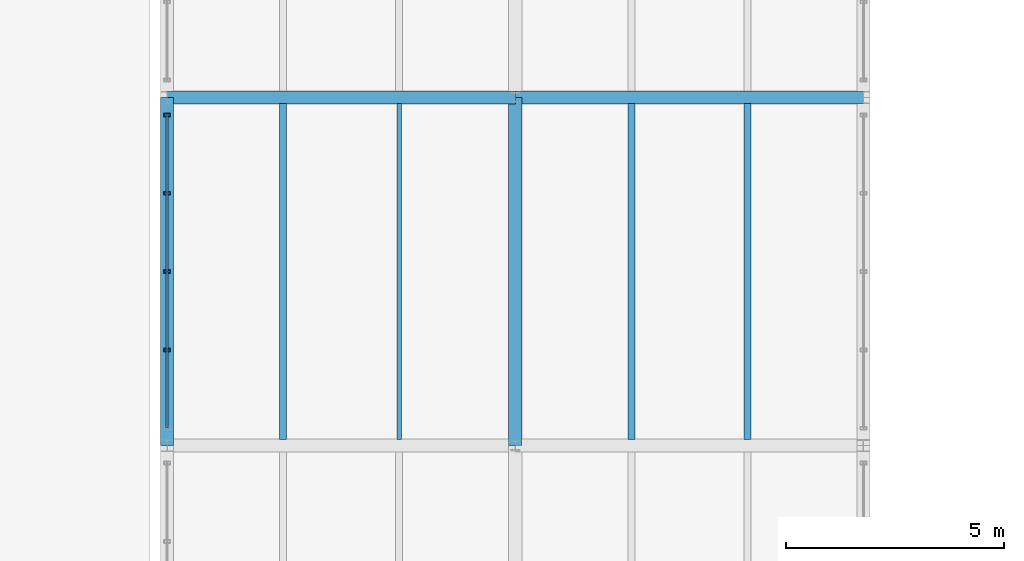
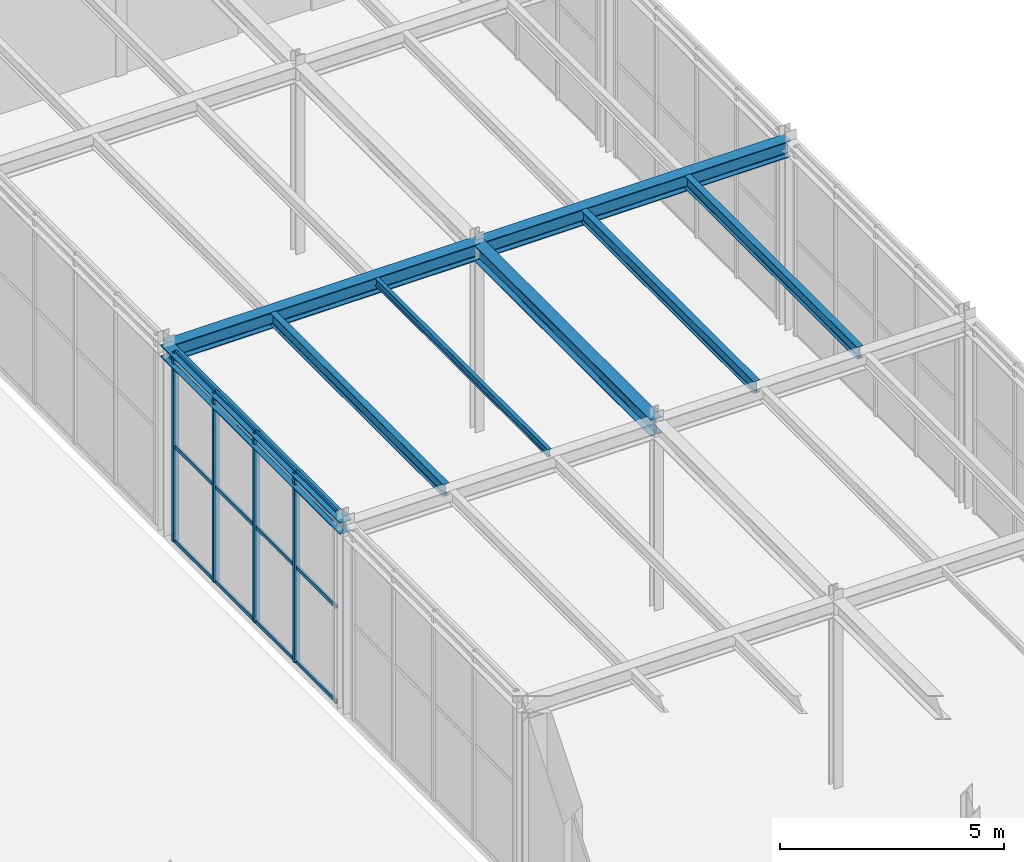
# One storey, part 34 of 129: 16 members, 8 beams, 1 element without a shape of its own.
"""IFC4 building model written with IfcOpenShell, lengths in metres."""

import ifcopenshell
import ifcopenshell.guid

model = None  # the IFC model being written
_history = None  # IfcOwnerHistory: only IFC2X3 demands one
_inside = {}  # id of a spatial element -> (the spatial element, [elements in it])
_under = {}  # id of a project, library or spatial element -> (it, [spatial elements below it])
_declared = {}  # id of a project -> (the project, [libraries it declares])
_typed = {}  # id of a type object -> (the type object, [elements of that type])
_made_of = {}  # id of a material, layer set ... -> (it, [elements and type objects made of it])


def new_model(schema):
    """Start an empty IFC model of exactly this schema.

    Asked for "IFC4X3", IfcOpenShell would pick the latest addendum, in which some entities
    have other attributes; the version numbers below select the first issue.
    IFC2X3 requires an IfcOwnerHistory on every rooted entity: one is made here for all.
    """
    global model, _history
    if schema == "IFC4X3":
        model = ifcopenshell.file(schema_version=(4, 3, 0, 0))
    else:
        model = ifcopenshell.file(schema=schema)
    _inside.clear()
    _under.clear()
    _declared.clear()
    _typed.clear()
    _made_of.clear()
    _history = None
    if model.schema == "IFC2X3":
        org = make("IfcOrganization", Name="unknown")
        user = make(
            "IfcPersonAndOrganization",
            ThePerson=make("IfcPerson", FamilyName="unknown"),
            TheOrganization=org,
        )
        app = make(
            "IfcApplication",
            ApplicationDeveloper=org,
            Version="unknown",
            ApplicationFullName="unknown",
            ApplicationIdentifier="unknown",
        )
        _history = make(
            "IfcOwnerHistory",
            OwningUser=user,
            OwningApplication=app,
            ChangeAction="ADDED",
            CreationDate=0,
        )
    return model


def make(cls, **values):
    """One entity of the class cls with the attributes given. An attribute that is None is left unset."""
    return model.create_entity(
        cls, **{name: value for name, value in values.items() if value is not None}
    )


def rooted(cls, **values):
    """An entity with a GlobalId (a new one), such as an element, a storey or a relation."""
    return make(cls, GlobalId=ifcopenshell.guid.new(), OwnerHistory=_history, **values)


def si_unit(unit_type, name, prefix=None):
    """IfcSIUnit, for example si_unit("LENGTHUNIT", "METRE", prefix="MILLI")."""
    return make("IfcSIUnit", UnitType=unit_type, Prefix=prefix, Name=name)


def assignment(units):
    """IfcUnitAssignment: the units of a project."""
    return None if units is None else make("IfcUnitAssignment", Units=units)


def point(xyz):
    """IfcCartesianPoint."""
    return None if xyz is None else make("IfcCartesianPoint", Coordinates=xyz)


def direction(xyz):
    """IfcDirection."""
    return None if xyz is None else make("IfcDirection", DirectionRatios=xyz)


def frame(location, z_axis=None, x_axis=None):
    """IfcAxis2Placement3D, a coordinate frame: its origin and axes. An axis left out is left unset."""
    return make(
        "IfcAxis2Placement3D",
        Location=point(location),
        Axis=direction(z_axis),
        RefDirection=direction(x_axis),
    )


def frame_2d(location, x_axis=None):
    """IfcAxis2Placement2D, a coordinate frame in the plane: its origin and x axis."""
    return make(
        "IfcAxis2Placement2D", Location=point(location), RefDirection=direction(x_axis)
    )


def origin():
    """The frame at (0, 0, 0) with its axes left unset."""
    return frame((0.0, 0.0, 0.0))


def origin_2d():
    """The frame at (0, 0) in the plane with its x axis left unset."""
    return frame_2d((0.0, 0.0))


def place(relative_to, where):
    """IfcLocalPlacement: puts the frame where relative to a parent placement (None: the world)."""
    return make(
        "IfcLocalPlacement", PlacementRelTo=relative_to, RelativePlacement=where
    )


def context(
    kind, dimensions, precision=None, world=None, true_north=None, identifier=None
):
    """IfcGeometricRepresentationContext, for example the 3D "Model" context."""
    return make(
        "IfcGeometricRepresentationContext",
        ContextIdentifier=identifier,
        ContextType=kind,
        CoordinateSpaceDimension=dimensions,
        Precision=precision,
        WorldCoordinateSystem=world,
        TrueNorth=true_north,
    )


def subcontext(parent, identifier, kind, view, scale=None):
    """IfcGeometricRepresentationSubContext, for example "Body" below "Model"."""
    return make(
        "IfcGeometricRepresentationSubContext",
        ContextIdentifier=identifier,
        ContextType=kind,
        ParentContext=parent,
        TargetScale=scale,
        TargetView=view,
    )


def project(units=None, contexts=None):
    """IfcProject with its units and contexts."""
    return rooted(
        "IfcProject",
        Name="project",
        RepresentationContexts=contexts,
        UnitsInContext=assignment(units),
    )


def spatial(cls, under=None, at=None, **own):
    """A site, building, storey or space (cls), placed at a placement, below another one or the project."""
    s = rooted(cls, ObjectPlacement=at, **own)
    if under is not None:
        _under.setdefault(under.id(), (under, []))[1].append(s)
    return s


def profile(cls, at=None, kind="AREA", **sizes):
    """A parametric profile (cls). Its sizes go by their IFC names, for example OverallWidth=200.0."""
    return make(cls, ProfileType=kind, Position=at, **sizes)


def hollow_rectangle(**sizes):
    """IfcRectangleHollowProfileDef."""
    return profile("IfcRectangleHollowProfileDef", **sizes)


def i_section(**sizes):
    """IfcIShapeProfileDef."""
    return profile("IfcIShapeProfileDef", **sizes)


def extrude(swept, where, along, depth):
    """IfcExtrudedAreaSolid: the profile swept, set in the frame where, extruded along a direction by depth."""
    return make(
        "IfcExtrudedAreaSolid",
        SweptArea=swept,
        Position=where,
        ExtrudedDirection=direction(along),
        Depth=depth,
    )


def shape(context_of_items, identifier, shape_type, items):
    """IfcShapeRepresentation: the items that make up one representation, for example the "Body"."""
    return make(
        "IfcShapeRepresentation",
        ContextOfItems=context_of_items,
        RepresentationIdentifier=identifier,
        RepresentationType=shape_type,
        Items=items,
    )


def material(Name=None, Category=None):
    """IfcMaterial."""
    return make("IfcMaterial", Name=Name, Category=Category)


def material_profile(
    of_material, cross_section, Name=None, Category=None, Priority=None
):
    """IfcMaterialProfile: a cross section and its material."""
    return make(
        "IfcMaterialProfile",
        Name=Name,
        Material=of_material,
        Profile=cross_section,
        Priority=Priority,
        Category=Category,
    )


def profile_set(profiles, Name=None, composite=None):
    """IfcMaterialProfileSet."""
    return make(
        "IfcMaterialProfileSet",
        Name=Name,
        MaterialProfiles=profiles,
        CompositeProfile=composite,
    )


def made_of(thing, what):
    """Note that an element or type object is made of a material, layer set ...; save() writes the relation."""
    if what is not None:
        _made_of.setdefault(what.id(), (what, []))[1].append(thing)
    return thing


def type_object(cls, material=None, **own):
    """A type object (cls), such as IfcWallType, which elements share."""
    return made_of(rooted(cls, **own), material)


def element(
    cls,
    number,
    at=None,
    inside=None,
    cuts=None,
    type_object=None,
    material=None,
    context=None,
    identifier="Body",
    shape_type=None,
    held_by="IfcProductDefinitionShape",
    body=None,
    shapes=None,
    **own,
):
    """One element of the class cls, such as IfcWall. Its Tag is "e" and its number.

    at: its placement. inside: the storey or other place that contains it. cuts: it is an
    opening in that element (IfcRelVoidsElement). A single representation is given by context,
    identifier, shape_type and body (its items); several are given by shapes. held_by: the class
    of the entity that holds the representations. save() writes the other relations.
    """
    e = rooted(cls, Tag="e%d" % number, ObjectPlacement=at, **own)
    if body is not None:
        shapes = [shape(context, identifier, shape_type, body)]
    if shapes is not None:
        e.Representation = make(held_by, Representations=shapes)
    if inside is not None:
        _inside.setdefault(inside.id(), (inside, []))[1].append(e)
    if cuts is not None:
        rooted(
            "IfcRelVoidsElement", RelatingBuildingElement=cuts, RelatedOpeningElement=e
        )
    if type_object is not None:
        _typed.setdefault(type_object.id(), (type_object, []))[1].append(e)
    return made_of(e, material)


def aggregate(whole, parts):
    """IfcRelAggregates: a whole, such as a stair, and the parts it consists of."""
    return rooted("IfcRelAggregates", RelatingObject=whole, RelatedObjects=parts)


def save(model, path):
    """Write the relations noted so far, then the file.

    IfcRelAggregates (storeys below a building ...), IfcRelContainedInSpatialStructure (elements
    in a storey), IfcRelDefinesByType, IfcRelAssociatesMaterial and IfcRelDeclares: one each for
    every whole, place, type object, material and project.
    """
    for whole, parts in _under.values():
        aggregate(whole, parts)
    for where, things in _inside.values():
        rooted(
            "IfcRelContainedInSpatialStructure",
            RelatedElements=things,
            RelatingStructure=where,
        )
    for kind, things in _typed.values():
        rooted("IfcRelDefinesByType", RelatedObjects=things, RelatingType=kind)
    for what, things in _made_of.values():
        rooted("IfcRelAssociatesMaterial", RelatedObjects=things, RelatingMaterial=what)
    for by, libraries in _declared.values():
        rooted("IfcRelDeclares", RelatingContext=by, RelatedDefinitions=libraries)
    model.write(path)


model = new_model("IFC4")

# Units and contexts
model_context = context("Model", 3, precision=1e-05, world=origin(), true_north=direction((0.0, 1.0)))
body_context = subcontext(model_context, "Body", "Model", "MODEL_VIEW")
ifc_project = project(units=[si_unit("LENGTHUNIT", "METRE"), si_unit("AREAUNIT", "SQUARE_METRE"), si_unit("VOLUMEUNIT", "CUBIC_METRE"), si_unit("PLANEANGLEUNIT", "RADIAN"), si_unit("MASSUNIT", "GRAM", prefix="KILO")], contexts=[model_context])

# Site, building, storey
site_placement = place(None, origin())
site = spatial("IfcSite", under=ifc_project, at=site_placement, CompositionType="ELEMENT")
building_placement = place(site_placement, origin())
building = spatial("IfcBuilding", under=site, at=building_placement, Name="Sundkrona Museum", CompositionType="ELEMENT")
storey_placement = place(building_placement, origin())
storey = spatial("IfcBuildingStorey", under=building, at=storey_placement, Name="L00", CompositionType="ELEMENT", Elevation=0.0)

# Beams
ifc_material_1 = material(Name="Steel S355J2", Category="steel")
ifc_material_profile_1 = material_profile(ifc_material_1, i_section(OverallWidth=0.300048828125, OverallDepth=0.43994140625, WebThickness=0.011474609375, FlangeThickness=0.02099609375, FilletRadius=0.027099609375, at=origin_2d()), Name="HEA 450")
ifc_profile_set_1 = profile_set([ifc_material_profile_1], Name="Steel S355J2")
beam_type_1 = type_object("IfcBeamType", Name="B-HEA450", PredefinedType="BEAM", material=ifc_profile_set_1)
for number, where, z_axis, x_axis, name in (
    (1, (80.0, 62.0, 4.919921875), (1.0, 0.0, 0.0), (0.0, 1.0, 0.0), "L00 Girder X-0501"),
    (2, (88.0, 62.0, 4.919921875), (1.0, 0.0, 0.0), (0.0, 1.0, 0.0), "L00 Girder X-0502"),
    (3, (88.0, 54.0, 4.919921875), (0.0, 1.0, 0.0), (-1.0, 0.0, 0.0), "L00 Girder Y-0693"),
):
    element("IfcBeam", number, at=place(storey_placement, frame(where, z_axis=z_axis, x_axis=x_axis)), inside=storey, type_object=beam_type_1, Name=name, PredefinedType="BEAM", context=body_context, shape_type="SweptSolid", body=[
        extrude(i_section(OverallWidth=0.300048828125, OverallDepth=0.43994140625, WebThickness=0.011474609375, FlangeThickness=0.02099609375, FilletRadius=0.027099609375, at=origin_2d()), origin(), (0.0, 0.0, 1.0), 8.0),
    ])
ifc_material_profile_2 = material_profile(ifc_material_1, i_section(OverallWidth=0.10009765625, OverallDepth=0.199951171875, WebThickness=0.005615234375, FlangeThickness=0.008544921875, FilletRadius=0.011962890625, at=origin_2d()), Name="IPE 200")
ifc_profile_set_2 = profile_set([ifc_material_profile_2], Name="Steel S355J2")
beam_type_2 = type_object("IfcBeamType", Name="J-IPE200", PredefinedType="JOIST", material=ifc_profile_set_2)
beam_1_placement = place(storey_placement, frame((85.333251953125, 54.14404296875, 5.0400390625), z_axis=(0.0, 1.0, 0.0), x_axis=(-1.0, 0.0, 0.0)))
element("IfcBeam", 4, at=beam_1_placement, inside=storey, type_object=beam_type_2, Name="L00 Composite Joist 0400", PredefinedType="JOIST", context=body_context, shape_type="SweptSolid", body=[
    extrude(i_section(OverallWidth=0.10009765625, OverallDepth=0.199951171875, WebThickness=0.005615234375, FlangeThickness=0.008544921875, FilletRadius=0.011962890625, at=origin_2d()), origin(), (0.0, 0.0, 1.0), 7.7119140625),
])
ifc_material_profile_3 = material_profile(ifc_material_1, i_section(OverallWidth=0.159912109375, OverallDepth=0.330078125, WebThickness=0.007568359375, FlangeThickness=0.011474609375, FilletRadius=0.01806640625, at=origin_2d()), Name="IPE 330")
ifc_profile_set_3 = profile_set([ifc_material_profile_3], Name="Steel S355J2")
beam_type_3 = type_object("IfcBeamType", Name="J-IPE330", PredefinedType="JOIST", material=ifc_profile_set_3)
for number, where, z_axis, x_axis, name in (
    (5, (82.666748046875, 54.14404296875, 4.97509765625), (0.0, 1.0, 0.0), (-1.0, 0.0, 0.0), "L00 Composite Joist 0399"),
    (6, (90.666748046875, 54.14404296875, 4.97509765625), (0.0, 1.0, 0.0), (-1.0, 0.0, 0.0), "L00 Composite Joist 0419"),
    (7, (93.333251953125, 54.14404296875, 4.97509765625), (0.0, 1.0, 0.0), (-1.0, 0.0, 0.0), "L00 Composite Joist 0420"),
):
    element("IfcBeam", number, at=place(storey_placement, frame(where, z_axis=z_axis, x_axis=x_axis)), inside=storey, type_object=beam_type_3, Name=name, PredefinedType="JOIST", context=body_context, shape_type="SweptSolid", body=[
        extrude(i_section(OverallWidth=0.159912109375, OverallDepth=0.330078125, WebThickness=0.007568359375, FlangeThickness=0.011474609375, FilletRadius=0.01806640625, at=origin_2d()), origin(), (0.0, 0.0, 1.0), 7.7119140625),
    ])

# Curtain wall, members
ifc_material_2 = material(Name="Unitised Aluminium-Steel and Ceramic-Clad Curtain Walling", Category="steel")
curtain_wall_type = type_object("IfcCurtainWallType", Name="CW-PS-74x48", PredefinedType="NOTDEFINED", material=ifc_material_2)
curtain_wall_placement = place(storey_placement, origin())
curtain_wall = element("IfcCurtainWall", 8, at=curtain_wall_placement, inside=storey, type_object=curtain_wall_type, Name="L00 Curtain Wall CW-L00-096", PredefinedType="NOTDEFINED")
ifc_material_3 = material(Name="Aluminium EN AW-6060 T66", Category="aluminium")
ifc_material_profile_4 = material_profile(ifc_material_3, hollow_rectangle(XDim=0.074951171875, YDim=0.14990234375, WallThickness=0.00634765625, at=origin_2d()), Name="RHS 150x75x6.3")
ifc_profile_set_4 = profile_set([ifc_material_profile_4], Name="Aluminium EN AW-6060 T66")
member_type_1 = type_object("IfcMemberType", Name="ML-150", PredefinedType="MULLION", material=ifc_profile_set_4)
member_1_placement = place(storey_placement, frame((80.0, 56.199951171875, -0.00390625), z_axis=(0.0, 0.0, 1.0), x_axis=(0.0, 1.0, 0.0)))
member_1 = element("IfcMember", 9, at=member_1_placement, type_object=member_type_1, Name="CW-L00-096 Mullion 02", PredefinedType="MULLION", context=body_context, shape_type="SweptSolid", body=[
    extrude(hollow_rectangle(XDim=0.074951171875, YDim=0.14990234375, WallThickness=0.00634765625, at=origin_2d()), origin(), (0.0, 0.0, 1.0), 5.14794921875),
])
member_2_placement = place(storey_placement, frame((80.0, 58.0, -0.00390625), z_axis=(0.0, 0.0, 1.0), x_axis=(0.0, 1.0, 0.0)))
member_2 = element("IfcMember", 10, at=member_2_placement, type_object=member_type_1, Name="CW-L00-096 Mullion 03", PredefinedType="MULLION", context=body_context, shape_type="SweptSolid", body=[
    extrude(hollow_rectangle(XDim=0.074951171875, YDim=0.14990234375, WallThickness=0.00634765625, at=origin_2d()), origin(), (0.0, 0.0, 1.0), 5.14794921875),
])
member_3_placement = place(storey_placement, frame((80.0, 59.800048828125, -0.00390625), z_axis=(0.0, 0.0, 1.0), x_axis=(0.0, 1.0, 0.0)))
member_3 = element("IfcMember", 11, at=member_3_placement, type_object=member_type_1, Name="CW-L00-096 Mullion 04", PredefinedType="MULLION", context=body_context, shape_type="SweptSolid", body=[
    extrude(hollow_rectangle(XDim=0.074951171875, YDim=0.14990234375, WallThickness=0.00634765625, at=origin_2d()), origin(), (0.0, 0.0, 1.0), 5.14794921875),
])
member_4_placement = place(storey_placement, frame((80.0, 61.60009765625, -0.00390625), z_axis=(0.0, 0.0, 1.0), x_axis=(0.0, 1.0, 0.0)))
member_4 = element("IfcMember", 12, at=member_4_placement, type_object=member_type_1, Name="CW-L00-096 Mullion 05", PredefinedType="MULLION", context=body_context, shape_type="SweptSolid", body=[
    extrude(hollow_rectangle(XDim=0.074951171875, YDim=0.14990234375, WallThickness=0.00634765625, at=origin_2d()), origin(), (0.0, 0.0, 1.0), 5.14794921875),
])

# Beam
ifc_material_profile_5 = material_profile(ifc_material_1, i_section(OverallWidth=0.300048828125, OverallDepth=0.320068359375, WebThickness=0.011474609375, FlangeThickness=0.0205078125, FilletRadius=0.027099609375, at=origin_2d()), Name="HEB 320")
ifc_profile_set_5 = profile_set([ifc_material_profile_5], Name="Steel S355J2")
beam_type_4 = type_object("IfcBeamType", Name="SP-HEB320", PredefinedType="SPANDREL", material=ifc_profile_set_5)
beam_2_placement = place(storey_placement, frame((80.0, 54.0, 4.97998046875), z_axis=(0.0, 1.0, 0.0), x_axis=(-1.0, 0.0, 0.0)))
element("IfcBeam", 13, at=beam_2_placement, inside=storey, type_object=beam_type_4, Name="L00 Girder Y-0678", PredefinedType="SPANDREL", context=body_context, shape_type="SweptSolid", body=[
    extrude(i_section(OverallWidth=0.300048828125, OverallDepth=0.320068359375, WebThickness=0.011474609375, FlangeThickness=0.0205078125, FilletRadius=0.027099609375, at=origin_2d()), origin(), (0.0, 0.0, 1.0), 8.0),
])

# Member
ifc_material_profile_6 = material_profile(ifc_material_3, hollow_rectangle(XDim=0.050048828125, YDim=0.10009765625, WallThickness=0.0048828125, at=origin_2d()), Name="RHS 100x50x5.0")
ifc_profile_set_6 = profile_set([ifc_material_profile_6], Name="Aluminium EN AW-6060 T66")
member_type_2 = type_object("IfcMemberType", Name="TR-100", PredefinedType="USERDEFINED", material=ifc_profile_set_6)
member_5_placement = place(storey_placement, frame((80.0, 54.39990234375, -0.00390625), z_axis=(0.0, 1.0, 0.0), x_axis=(-1.0, 0.0, 0.0)))
member_5 = element("IfcMember", 14, at=member_5_placement, type_object=member_type_2, Name="CW-L00-096 Transom 01", ObjectType="TRANSOM", PredefinedType="USERDEFINED", context=body_context, shape_type="SweptSolid", body=[
    extrude(hollow_rectangle(XDim=0.050048828125, YDim=0.10009765625, WallThickness=0.0048828125, at=origin_2d()), origin(), (0.0, 0.0, 1.0), 1.800048828125),
])

member_6_placement = place(storey_placement, frame((80.0, 54.39990234375, 2.570068359375), z_axis=(0.0, 1.0, 0.0), x_axis=(-1.0, 0.0, 0.0)))
member_6 = element("IfcMember", 15, at=member_6_placement, type_object=member_type_2, Name="CW-L00-096 Transom 02", ObjectType="TRANSOM", PredefinedType="USERDEFINED", context=body_context, shape_type="SweptSolid", body=[
    extrude(hollow_rectangle(XDim=0.050048828125, YDim=0.10009765625, WallThickness=0.0048828125, at=origin_2d()), origin(), (0.0, 0.0, 1.0), 1.800048828125),
])

member_7_placement = place(storey_placement, frame((80.0, 54.39990234375, 5.14404296875), z_axis=(0.0, 1.0, 0.0), x_axis=(-1.0, 0.0, 0.0)))
member_7 = element("IfcMember", 16, at=member_7_placement, type_object=member_type_2, Name="CW-L00-096 Transom 03", ObjectType="TRANSOM", PredefinedType="USERDEFINED", context=body_context, shape_type="SweptSolid", body=[
    extrude(hollow_rectangle(XDim=0.050048828125, YDim=0.10009765625, WallThickness=0.0048828125, at=origin_2d()), origin(), (0.0, 0.0, 1.0), 1.800048828125),
])

member_8_placement = place(storey_placement, frame((80.0, 56.199951171875, -0.00390625), z_axis=(0.0, 1.0, 0.0), x_axis=(-1.0, 0.0, 0.0)))
member_8 = element("IfcMember", 17, at=member_8_placement, type_object=member_type_2, Name="CW-L00-096 Transom 04", ObjectType="TRANSOM", PredefinedType="USERDEFINED", context=body_context, shape_type="SweptSolid", body=[
    extrude(hollow_rectangle(XDim=0.050048828125, YDim=0.10009765625, WallThickness=0.0048828125, at=origin_2d()), origin(), (0.0, 0.0, 1.0), 1.800048828125),
])

member_9_placement = place(storey_placement, frame((80.0, 56.199951171875, 2.570068359375), z_axis=(0.0, 1.0, 0.0), x_axis=(-1.0, 0.0, 0.0)))
member_9 = element("IfcMember", 18, at=member_9_placement, type_object=member_type_2, Name="CW-L00-096 Transom 05", ObjectType="TRANSOM", PredefinedType="USERDEFINED", context=body_context, shape_type="SweptSolid", body=[
    extrude(hollow_rectangle(XDim=0.050048828125, YDim=0.10009765625, WallThickness=0.0048828125, at=origin_2d()), origin(), (0.0, 0.0, 1.0), 1.800048828125),
])

member_10_placement = place(storey_placement, frame((80.0, 56.199951171875, 5.14404296875), z_axis=(0.0, 1.0, 0.0), x_axis=(-1.0, 0.0, 0.0)))
member_10 = element("IfcMember", 19, at=member_10_placement, type_object=member_type_2, Name="CW-L00-096 Transom 06", ObjectType="TRANSOM", PredefinedType="USERDEFINED", context=body_context, shape_type="SweptSolid", body=[
    extrude(hollow_rectangle(XDim=0.050048828125, YDim=0.10009765625, WallThickness=0.0048828125, at=origin_2d()), origin(), (0.0, 0.0, 1.0), 1.800048828125),
])

member_11_placement = place(storey_placement, frame((80.0, 58.0, -0.00390625), z_axis=(0.0, 1.0, 0.0), x_axis=(-1.0, 0.0, 0.0)))
member_11 = element("IfcMember", 20, at=member_11_placement, type_object=member_type_2, Name="CW-L00-096 Transom 07", ObjectType="TRANSOM", PredefinedType="USERDEFINED", context=body_context, shape_type="SweptSolid", body=[
    extrude(hollow_rectangle(XDim=0.050048828125, YDim=0.10009765625, WallThickness=0.0048828125, at=origin_2d()), origin(), (0.0, 0.0, 1.0), 1.800048828125),
])

member_12_placement = place(storey_placement, frame((80.0, 58.0, 2.570068359375), z_axis=(0.0, 1.0, 0.0), x_axis=(-1.0, 0.0, 0.0)))
member_12 = element("IfcMember", 21, at=member_12_placement, type_object=member_type_2, Name="CW-L00-096 Transom 08", ObjectType="TRANSOM", PredefinedType="USERDEFINED", context=body_context, shape_type="SweptSolid", body=[
    extrude(hollow_rectangle(XDim=0.050048828125, YDim=0.10009765625, WallThickness=0.0048828125, at=origin_2d()), origin(), (0.0, 0.0, 1.0), 1.800048828125),
])

member_13_placement = place(storey_placement, frame((80.0, 58.0, 5.14404296875), z_axis=(0.0, 1.0, 0.0), x_axis=(-1.0, 0.0, 0.0)))
member_13 = element("IfcMember", 22, at=member_13_placement, type_object=member_type_2, Name="CW-L00-096 Transom 09", ObjectType="TRANSOM", PredefinedType="USERDEFINED", context=body_context, shape_type="SweptSolid", body=[
    extrude(hollow_rectangle(XDim=0.050048828125, YDim=0.10009765625, WallThickness=0.0048828125, at=origin_2d()), origin(), (0.0, 0.0, 1.0), 1.800048828125),
])

member_14_placement = place(storey_placement, frame((80.0, 59.800048828125, -0.00390625), z_axis=(0.0, 1.0, 0.0), x_axis=(-1.0, 0.0, 0.0)))
member_14 = element("IfcMember", 23, at=member_14_placement, type_object=member_type_2, Name="CW-L00-096 Transom 10", ObjectType="TRANSOM", PredefinedType="USERDEFINED", context=body_context, shape_type="SweptSolid", body=[
    extrude(hollow_rectangle(XDim=0.050048828125, YDim=0.10009765625, WallThickness=0.0048828125, at=origin_2d()), origin(), (0.0, 0.0, 1.0), 1.800048828125),
])

member_15_placement = place(storey_placement, frame((80.0, 59.800048828125, 2.570068359375), z_axis=(0.0, 1.0, 0.0), x_axis=(-1.0, 0.0, 0.0)))
member_15 = element("IfcMember", 24, at=member_15_placement, type_object=member_type_2, Name="CW-L00-096 Transom 11", ObjectType="TRANSOM", PredefinedType="USERDEFINED", context=body_context, shape_type="SweptSolid", body=[
    extrude(hollow_rectangle(XDim=0.050048828125, YDim=0.10009765625, WallThickness=0.0048828125, at=origin_2d()), origin(), (0.0, 0.0, 1.0), 1.800048828125),
])

member_16_placement = place(storey_placement, frame((80.0, 59.800048828125, 5.14404296875), z_axis=(0.0, 1.0, 0.0), x_axis=(-1.0, 0.0, 0.0)))
member_16 = element("IfcMember", 25, at=member_16_placement, type_object=member_type_2, Name="CW-L00-096 Transom 12", ObjectType="TRANSOM", PredefinedType="USERDEFINED", context=body_context, shape_type="SweptSolid", body=[
    extrude(hollow_rectangle(XDim=0.050048828125, YDim=0.10009765625, WallThickness=0.0048828125, at=origin_2d()), origin(), (0.0, 0.0, 1.0), 1.800048828125),
])

aggregate(curtain_wall, [member_1, member_2, member_3, member_4, member_5, member_6, member_7, member_8, member_9, member_10, member_11, member_12, member_13, member_14, member_15, member_16])

save(model, "model.ifc")
